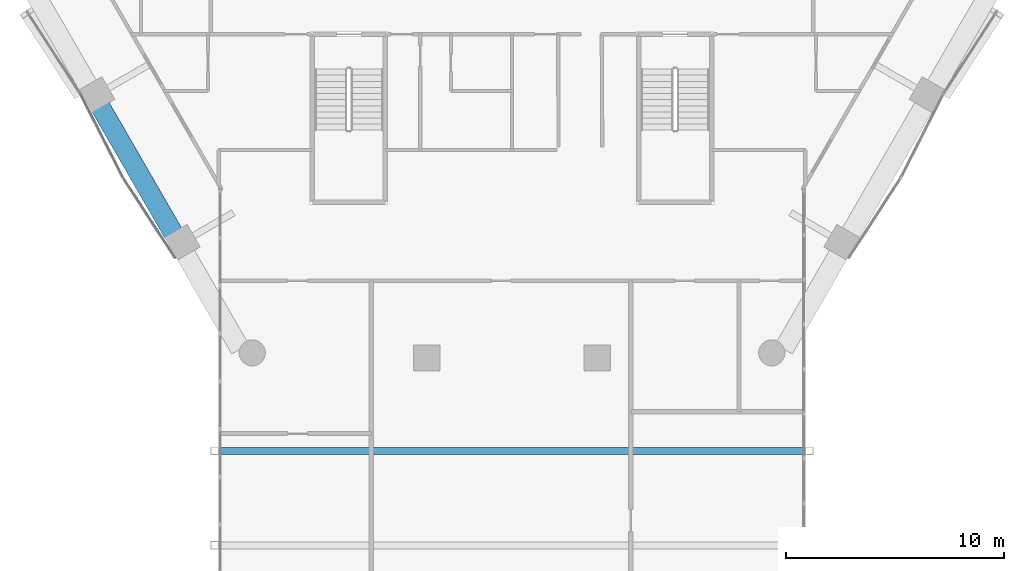
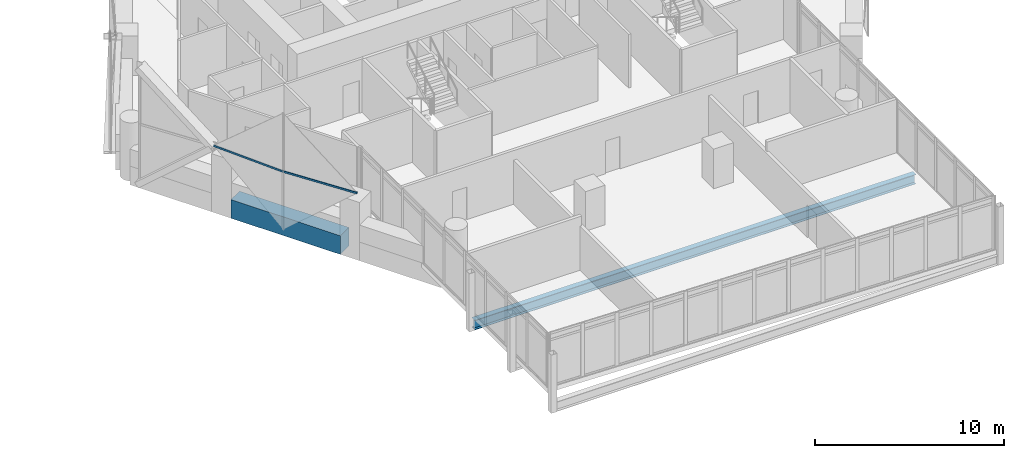
# One storey, part 8 of 36: 2 beams, 2 members, 1 element without a shape of its own.
"""IFC4 building model written with IfcOpenShell, lengths in metres."""

from ifc_helpers import new_model, si_unit, direction, frame, origin, origin_2d, place, context, subcontext, project, spatial, rectangle, hollow_rectangle, i_section, extrude, material, material_profile, profile_set, type_object, element, aggregate, save


model = new_model("IFC4")

# Units and contexts
model_context = context("Model", 3, precision=1e-05, world=origin(), true_north=direction((0.0, 1.0)))
body_context = subcontext(model_context, "Body", "Model", "MODEL_VIEW")
ifc_project = project(units=[si_unit("LENGTHUNIT", "METRE"), si_unit("AREAUNIT", "SQUARE_METRE"), si_unit("VOLUMEUNIT", "CUBIC_METRE"), si_unit("PLANEANGLEUNIT", "RADIAN"), si_unit("MASSUNIT", "GRAM", prefix="KILO")], contexts=[model_context])

# Site, building, storey
site_placement = place(None, origin())
site = spatial("IfcSite", under=ifc_project, at=site_placement, CompositionType="ELEMENT")
building_placement = place(site_placement, origin())
building = spatial("IfcBuilding", under=site, at=building_placement, Name="Ostrander Bayou Hotel Tower", CompositionType="ELEMENT")
storey_placement = place(building_placement, frame((0.0, 0.0, 138.5)))
storey = spatial("IfcBuildingStorey", under=building, at=storey_placement, Name="L34", CompositionType="ELEMENT", Elevation=138.5)

# Curtain wall, members
ifc_material_1 = material(Name="Aluminium and clear glass", Category="aluminium")
curtain_wall_type = type_object("IfcCurtainWallType", Name="CW-LAT lattice glazing", PredefinedType="NOTDEFINED", material=ifc_material_1)
curtain_wall_placement = place(storey_placement, origin())
curtain_wall = element("IfcCurtainWall", 1, at=curtain_wall_placement, inside=storey, type_object=curtain_wall_type, Name="CW-LAT L34 SW 2", PredefinedType="NOTDEFINED")
ifc_material_2 = material(Name="Aluminium", Category="aluminium")
ifc_material_profile_1 = material_profile(ifc_material_2, hollow_rectangle(XDim=0.06005859375, YDim=0.1201171875, WallThickness=0.00390625, at=origin_2d()))
ifc_profile_set_1 = profile_set([ifc_material_profile_1], Name="Aluminium")
member_type = type_object("IfcMemberType", Name="CW-LA transom 60 x 120 mm", PredefinedType="USERDEFINED", material=ifc_profile_set_1)
member_1_placement = place(storey_placement, frame((-17.814208984375, -10.284912109375, 3.14990234375), z_axis=(-0.454000085104, 0.891001640136, 0.0), x_axis=(-0.891001640136, -0.454000085104, 0.0)))
member_1 = element("IfcMember", 2, at=member_1_placement, type_object=member_type, Name="CW-LAT transom 6", ObjectType="TRANSOM", PredefinedType="USERDEFINED", context=body_context, shape_type="SweptSolid", body=[
    extrude(hollow_rectangle(XDim=0.06005859375, YDim=0.1201171875, WallThickness=0.00390625, at=origin_2d()), origin(), (0.0, 0.0, 1.0), 4.380615234375),
])
member_2_placement = place(storey_placement, frame((-17.814208984375, -10.284912109375, 3.14990234375), z_axis=(0.544641587988, -0.83866891002, 0.0), x_axis=(0.83866891002, 0.544641587988, 0.0)))
member_2 = element("IfcMember", 3, at=member_2_placement, type_object=member_type, Name="CW-LAT transom 7", ObjectType="TRANSOM", PredefinedType="USERDEFINED", context=body_context, shape_type="SweptSolid", body=[
    extrude(hollow_rectangle(XDim=0.06005859375, YDim=0.1201171875, WallThickness=0.00390625, at=origin_2d()), origin(), (0.0, 0.0, 1.0), 4.380859375),
])
aggregate(curtain_wall, [member_1, member_2])

# Beams
ifc_material_3 = material(Name="Concrete f'c 70 MPa", Category="concrete")
ifc_material_profile_2 = material_profile(ifc_material_3, rectangle(XDim=0.89990234375, YDim=1.199951171875, at=origin_2d()))
ifc_profile_set_2 = profile_set([ifc_material_profile_2], Name="Concrete f'c 70 MPa")
beam_type_1 = type_object("IfcBeamType", Name="SP2 spandrel beam 900 x 1200 mm f'c 70 MPa", PredefinedType="SPANDREL", material=ifc_profile_set_2)
beam_1_placement = place(storey_placement, frame((-18.85888671875, -7.035400390625, -0.60009765625), z_axis=(0.499999023957, -0.866025967302, 0.0), x_axis=(0.866025967302, 0.499999023957, 0.0)))
element("IfcBeam", 4, at=beam_1_placement, inside=storey, type_object=beam_type_1, Name="SP2 L34 SW-2", PredefinedType="SPANDREL", context=body_context, shape_type="SweptSolid", body=[
    extrude(rectangle(XDim=0.89990234375, YDim=1.199951171875, at=origin_2d()), origin(), (0.0, 0.0, 1.0), 6.67333984375),
])
ifc_material_4 = material(Name="Steel ASTM A992", Category="steel")
ifc_material_profile_3 = material_profile(ifc_material_4, i_section(OverallWidth=0.32763671875, OverallDepth=0.621826171875, WebThickness=0.015380859375, FlangeThickness=0.0244140625, at=origin_2d()))
ifc_profile_set_3 = profile_set([ifc_material_profile_3], Name="Steel ASTM A992")
beam_type_2 = type_object("IfcBeamType", Name="TF1 bar floor beam W24x131", PredefinedType="BEAM", material=ifc_profile_set_3)
beam_2_placement = place(storey_placement, frame((-13.442138671875, -22.794677734375, -0.61083984375), z_axis=(1.0, 0.0, 0.0), x_axis=(0.0, 1.0, 0.0)))
element("IfcBeam", 5, at=beam_2_placement, inside=storey, type_object=beam_type_2, Name="TF1 SB3S L3-1", PredefinedType="BEAM", context=body_context, shape_type="SweptSolid", body=[
    extrude(i_section(OverallWidth=0.32763671875, OverallDepth=0.621826171875, WebThickness=0.015380859375, FlangeThickness=0.0244140625, at=origin_2d()), origin(), (0.0, 0.0, 1.0), 26.88427734375),
])

save(model, "model.ifc")
